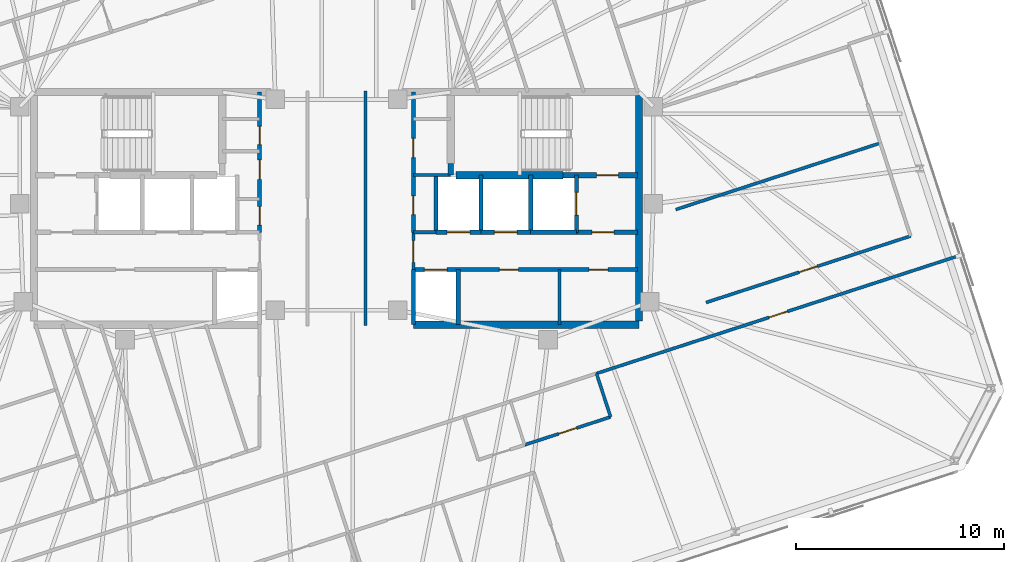
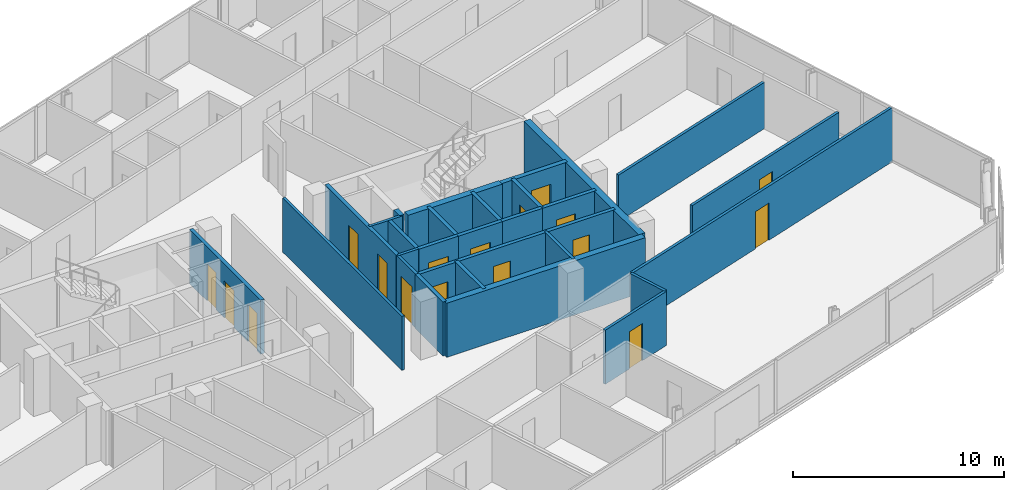
# One storey, part 15 of 20: 28 walls, 17 doors, 17 openings.
"""IFC4 building model written with IfcOpenShell, lengths in metres."""

from ifc_helpers import new_model, si_unit, direction, frame, frame_2d, origin, place, context, subcontext, project, spatial, rectangle, extrude, material, layer, layer_set, type_object, element, fill, save


model = new_model("IFC4")

# Units and contexts
model_context = context("Model", 3, precision=1e-05, world=origin(), true_north=direction((0.0, 1.0)))
body_context = subcontext(model_context, "Body", "Model", "MODEL_VIEW")
ifc_project = project(units=[si_unit("LENGTHUNIT", "METRE"), si_unit("AREAUNIT", "SQUARE_METRE"), si_unit("VOLUMEUNIT", "CUBIC_METRE"), si_unit("PLANEANGLEUNIT", "RADIAN"), si_unit("MASSUNIT", "GRAM", prefix="KILO")], contexts=[model_context])

# Site, building, storey
site_placement = place(None, origin())
site = spatial("IfcSite", under=ifc_project, at=site_placement, CompositionType="ELEMENT")
building_placement = place(site_placement, origin())
building = spatial("IfcBuilding", under=site, at=building_placement, Name="Menara Jurai Vektor", CompositionType="ELEMENT")
storey_placement = place(building_placement, frame((0.0, 0.0, 224.300048828125)))
storey = spatial("IfcBuildingStorey", under=building, at=storey_placement, Name="L59", CompositionType="ELEMENT", Elevation=224.300048828125)

# Wall, opening, door
ifc_material_1 = material(Name="Concrete C40/50", Category="concrete")
ifc_layer_1 = layer(ifc_material_1, 0.25)
ifc_layer_set_1 = layer_set([ifc_layer_1], Name="Concrete C40/50")
wall_type_1 = type_object("IfcWallType", Name="INT-WALL-CORE-250", PredefinedType="STANDARD", material=ifc_layer_set_1)
wall_1_placement = place(storey_placement, frame((10.89990234375, 1.60009765625, 0.0), z_axis=(0.0, 0.0, 1.0), x_axis=(1.0, 0.0, 0.0)))
wall_1 = element("IfcWall", 1, at=wall_1_placement, inside=storey, type_object=wall_type_1, Name="Interior Wall IW-250 L59", PredefinedType="STANDARD", context=body_context, shape_type="SweptSolid", body=[
    extrude(rectangle(XDim=3.60009765625, YDim=0.25, at=frame_2d((1.800048828125, 0.0))), origin(), (0.0, 0.0, 1.0), 3.125),
])
opening_1_placement = place(wall_1_placement, frame((1.6201171875, 0.0, 0.0)))
opening_1 = element("IfcOpeningElement", 2, at=opening_1_placement, cuts=wall_1, Name="Opening D-L59-ST2", PredefinedType="OPENING", context=body_context, shape_type="SweptSolid", body=[
    extrude(rectangle(XDim=1.050048828125, YDim=2.14990234375, at=frame_2d((0.52490234375, 1.074951171875))), frame((0.0, 0.135009765625, 0.0), z_axis=(0.0, -1.0, 0.0), x_axis=(1.0, 0.0, 0.0)), (0.0, 0.0, 1.0), 0.27001953125),
])
ifc_material_2 = material(Name="Fire-Rated Steel Door", Category="steel")
door_type_1 = type_object("IfcDoorType", Name="DR-STAIR-1050", OperationType="NOTDEFINED", PredefinedType="DOOR", material=ifc_material_2)
door_1_placement = place(opening_1_placement, origin())
door_1 = element("IfcDoor", 3, at=door_1_placement, inside=storey, type_object=door_type_1, Name="Exit Stair ST2 Door L59", OperationType="SINGLE_SWING_LEFT", OverallHeight=2.14990234375, OverallWidth=1.050048828125, PredefinedType="DOOR", context=body_context, shape_type="SweptSolid", body=[
    extrude(rectangle(XDim=1.050048828125, YDim=2.14990234375, at=frame_2d((0.52490234375, 1.074951171875))), frame((0.0, 0.02490234375, 0.0), z_axis=(0.0, -1.0, 0.0), x_axis=(1.0, 0.0, 0.0)), (0.0, 0.0, 1.0), 0.050048828125),
])
fill(opening_1, door_1)

# Wall
wall_2_placement = place(storey_placement, frame((5.5, 1.60009765625, 0.0), z_axis=(0.0, 0.0, 1.0), x_axis=(0.0, 1.0, 0.0)))
element("IfcWall", 4, at=wall_2_placement, inside=storey, type_object=wall_type_1, Name="Interior Wall IW-250 L59", PredefinedType="STANDARD", context=body_context, shape_type="SweptSolid", body=[
    extrude(rectangle(XDim=0.5498046875, YDim=0.25, at=frame_2d((0.27490234375, 0.0))), origin(), (0.0, 0.0, 1.0), 3.125),
])

# Wall, opening, door
wall_3_placement = place(storey_placement, frame((11.550048828125, -1.14990234375, 0.0), z_axis=(0.0, 0.0, 1.0), x_axis=(0.0, 1.0, 0.0)))
wall_3 = element("IfcWall", 5, at=wall_3_placement, inside=storey, type_object=wall_type_1, Name="Interior Wall IW-250 L59", PredefinedType="STANDARD", context=body_context, shape_type="SweptSolid", body=[
    extrude(rectangle(XDim=2.75, YDim=0.199951171875, at=frame_2d((1.375, 0.0))), origin(), (0.0, 0.0, 1.0), 3.125),
])
opening_2_placement = place(wall_3_placement, frame((0.824951171875, 0.0, 0.0)))
opening_2 = element("IfcOpeningElement", 6, at=opening_2_placement, cuts=wall_3, Name="Opening LD-L59-FL2", PredefinedType="OPENING", context=body_context, shape_type="SweptSolid", body=[
    extrude(rectangle(XDim=1.10009765625, YDim=2.14990234375, at=frame_2d((0.550048828125, 1.074951171875))), frame((0.0, 0.10986328125, 0.0), z_axis=(0.0, -1.0, 0.0), x_axis=(1.0, 0.0, 0.0)), (0.0, 0.0, 1.0), 0.219970703125),
])
ifc_material_3 = material(Name="Stainless Steel Sliding Lift Landing Door", Category="steel")
door_type_2 = type_object("IfcDoorType", Name="DR-LIFT-FIRE-1100", OperationType="NOTDEFINED", PredefinedType="DOOR", material=ifc_material_3)
door_2_placement = place(opening_2_placement, origin())
door_2 = element("IfcDoor", 7, at=door_2_placement, inside=storey, type_object=door_type_2, Name="Lift Landing Door FL2 L59", OperationType="SLIDING_TO_RIGHT", OverallHeight=2.14990234375, OverallWidth=1.10009765625, PredefinedType="DOOR", context=body_context, shape_type="SweptSolid", body=[
    extrude(rectangle(XDim=1.10009765625, YDim=2.14990234375, at=frame_2d((0.550048828125, 1.074951171875))), frame((0.0, 0.02490234375, 0.0), z_axis=(0.0, -1.0, 0.0), x_axis=(1.0, 0.0, 0.0)), (0.0, 0.0, 1.0), 0.050048828125),
])
fill(opening_2, door_2)

# Wall
wall_4_placement = place(storey_placement, frame((9.35009765625, -1.14990234375, 0.0), z_axis=(0.0, 0.0, 1.0), x_axis=(0.0, 1.0, 0.0)))
element("IfcWall", 8, at=wall_4_placement, inside=storey, type_object=wall_type_1, Name="Interior Wall IW-250 L59", PredefinedType="STANDARD", context=body_context, shape_type="SweptSolid", body=[
    extrude(rectangle(XDim=2.75, YDim=0.199951171875, at=frame_2d((1.375, 0.0))), origin(), (0.0, 0.0, 1.0), 3.125),
])

# Wall, opening, door
wall_5_placement = place(storey_placement, frame((11.550048828125, -1.14990234375, 0.0), z_axis=(0.0, 0.0, 1.0), x_axis=(1.0, 0.0, 0.0)))
wall_5 = element("IfcWall", 9, at=wall_5_placement, inside=storey, type_object=wall_type_1, Name="Interior Wall IW-250 L59", PredefinedType="STANDARD", context=body_context, shape_type="SweptSolid", body=[
    extrude(rectangle(XDim=2.949951171875, YDim=0.199951171875, at=frame_2d((1.47509765625, 0.0))), origin(), (0.0, 0.0, 1.0), 3.125),
])
opening_3_placement = place(wall_5_placement, frame((0.75, 0.0, 0.0)))
opening_3 = element("IfcOpeningElement", 10, at=opening_3_placement, cuts=wall_5, Name="Opening D-L59-FFE", PredefinedType="OPENING", context=body_context, shape_type="SweptSolid", body=[
    extrude(rectangle(XDim=1.050048828125, YDim=2.179931640625, at=frame_2d((0.52490234375, 1.08984375))), frame((0.0, 0.10986328125, 0.0), z_axis=(0.0, -1.0, 0.0), x_axis=(1.0, 0.0, 0.0)), (0.0, 0.0, 1.0), 0.219970703125),
])
ifc_material_4 = material(Name="Fire-Rated Timber Door", Category="wood")
door_type_3 = type_object("IfcDoorType", Name="DR-LOBBY-1050", OperationType="NOTDEFINED", PredefinedType="DOOR", material=ifc_material_4)
door_3_placement = place(opening_3_placement, origin())
door_3 = element("IfcDoor", 11, at=door_3_placement, inside=storey, type_object=door_type_3, Name="Fire Lift Lobby Door E L59", OperationType="SINGLE_SWING_LEFT", OverallHeight=2.179931640625, OverallWidth=1.050048828125, PredefinedType="DOOR", context=body_context, shape_type="SweptSolid", body=[
    extrude(rectangle(XDim=1.050048828125, YDim=2.179931640625, at=frame_2d((0.52490234375, 1.08984375))), frame((0.0, 0.02490234375, 0.0), z_axis=(0.0, -1.0, 0.0), x_axis=(1.0, 0.0, 0.0)), (0.0, 0.0, 1.0), 0.050048828125),
])
fill(opening_3, door_3)

# Wall
wall_6_placement = place(storey_placement, frame((9.35009765625, -1.14990234375, 0.0), z_axis=(0.0, 0.0, 1.0), x_axis=(1.0, 0.0, 0.0)))
element("IfcWall", 12, at=wall_6_placement, inside=storey, type_object=wall_type_1, Name="Interior Wall IW-250 L59", PredefinedType="STANDARD", context=body_context, shape_type="SweptSolid", body=[
    extrude(rectangle(XDim=2.199951171875, YDim=0.199951171875, at=frame_2d((1.10009765625, 0.0))), origin(), (0.0, 0.0, 1.0), 3.125),
])

# Wall, opening, door
ifc_material_5 = material(Name="Gypsum Fireboard Partition", Category="gypsum")
ifc_layer_2 = layer(ifc_material_5, 0.14990234375)
ifc_layer_set_2 = layer_set([ifc_layer_2], Name="Gypsum Fireboard Partition")
wall_type_2 = type_object("IfcWallType", Name="INT-WALL-CORR-150", PredefinedType="PARTITIONING", material=ifc_layer_set_2)
wall_7_placement = place(storey_placement, frame((3.699951171875, -2.949951171875, 0.0), z_axis=(0.0, 0.0, 1.0), x_axis=(0.0, 1.0, 0.0)))
wall_7 = element("IfcWall", 13, at=wall_7_placement, inside=storey, type_object=wall_type_2, Name="Interior Wall IW-150 L59", PredefinedType="PARTITIONING", context=body_context, shape_type="SweptSolid", body=[
    extrude(rectangle(XDim=1.800048828125, YDim=0.14990234375, at=frame_2d((0.89990234375, 0.0))), origin(), (0.0, 0.0, 1.0), 3.125),
])
opening_4_placement = place(wall_7_placement, frame((0.35009765625, 0.0, 0.0)))
opening_4 = element("IfcOpeningElement", 14, at=opening_4_placement, cuts=wall_7, Name="Opening D-L59-LLE", PredefinedType="OPENING", context=body_context, shape_type="SweptSolid", body=[
    extrude(rectangle(XDim=1.050048828125, YDim=2.179931640625, at=frame_2d((0.52490234375, 1.08984375))), frame((0.0, 0.0849609375, 0.0), z_axis=(0.0, -1.0, 0.0), x_axis=(1.0, 0.0, 0.0)), (0.0, 0.0, 1.0), 0.169921875),
])
door_4_placement = place(opening_4_placement, frame((1.050048828125, 0.0, 0.0), z_axis=(0.0, 0.0, 1.0), x_axis=(-1.0, 0.0, 0.0)))
door_4 = element("IfcDoor", 15, at=door_4_placement, inside=storey, type_object=door_type_3, Name="Lift Lobby Corridor Door E L59", OperationType="SINGLE_SWING_RIGHT", OverallHeight=2.179931640625, OverallWidth=1.050048828125, PredefinedType="DOOR", context=body_context, shape_type="SweptSolid", body=[
    extrude(rectangle(XDim=1.050048828125, YDim=2.179931640625, at=frame_2d((0.52490234375, 1.08984375))), frame((0.0, 0.02490234375, 0.0), z_axis=(0.0, -1.0, 0.0), x_axis=(1.0, 0.0, 0.0)), (0.0, 0.0, 1.0), 0.050048828125),
])
fill(opening_4, door_4)

# Walls
wall_8_placement = place(storey_placement, frame((3.699951171875, -1.14990234375, 0.0), z_axis=(0.0, 0.0, 1.0), x_axis=(1.0, 0.0, 0.0)))
element("IfcWall", 16, at=wall_8_placement, inside=storey, type_object=wall_type_2, Name="Interior Wall IW-150 L59", PredefinedType="PARTITIONING", context=body_context, shape_type="SweptSolid", body=[
    extrude(rectangle(XDim=1.090087890625, YDim=0.14990234375, at=frame_2d((0.544921875, 0.0))), origin(), (0.0, 0.0, 1.0), 3.125),
])
wall_9_placement = place(storey_placement, frame((10.739990234375, -5.60009765625, 0.0), z_axis=(0.0, 0.0, 1.0), x_axis=(0.0, 1.0, 0.0)))
element("IfcWall", 17, at=wall_9_placement, inside=storey, type_object=wall_type_2, Name="Interior Wall IW-150 L59", PredefinedType="PARTITIONING", context=body_context, shape_type="SweptSolid", body=[
    extrude(rectangle(XDim=2.650146484375, YDim=0.14990234375, at=frame_2d((1.3251953125, 0.0))), origin(), (0.0, 0.0, 1.0), 3.125),
])
wall_10_placement = place(storey_placement, frame((3.699951171875, 1.60009765625, 0.0), z_axis=(0.0, 0.0, 1.0), x_axis=(1.0, 0.0, 0.0)))
element("IfcWall", 18, at=wall_10_placement, inside=storey, type_object=wall_type_2, Name="Interior Wall IW-150 L59", PredefinedType="PARTITIONING", context=body_context, shape_type="SweptSolid", body=[
    extrude(rectangle(XDim=1.800048828125, YDim=0.14990234375, at=frame_2d((0.89990234375, 0.0))), origin(), (0.0, 0.0, 1.0), 3.125),
])
wall_11_placement = place(storey_placement, frame((1.39111328125, -5.6484375, 0.0), z_axis=(0.0, 0.0, 1.0), x_axis=(-4.3218947e-05, 0.999999999066, 0.0)))
element("IfcWall", 19, at=wall_11_placement, inside=storey, type_object=wall_type_2, Name="Interior Wall IW-150 L59", PredefinedType="PARTITIONING", context=body_context, shape_type="SweptSolid", body=[
    extrude(rectangle(XDim=11.2978515625, YDim=0.14990234375, at=frame_2d((5.64892578125, 0.0))), origin(), (0.0, 0.0, 1.0), 3.125),
])

# Wall, opening, door
wall_12_placement = place(storey_placement, frame((12.51708984375, -7.947998046875, 0.0), z_axis=(0.0, 0.0, 1.0), x_axis=(0.951053764264, 0.309025464128, 0.0)))
wall_12 = element("IfcWall", 20, at=wall_12_placement, inside=storey, type_object=wall_type_2, Name="Interior Wall IW-150 L59", PredefinedType="PARTITIONING", context=body_context, shape_type="SweptSolid", body=[
    extrude(rectangle(XDim=18.399169921875, YDim=0.14990234375, at=frame_2d((9.19970703125, 0.0))), origin(), (0.0, 0.0, 1.0), 3.125),
])
opening_5_placement = place(wall_12_placement, frame((8.724609375, 0.0, 0.0)))
opening_5 = element("IfcOpeningElement", 21, at=opening_5_placement, cuts=wall_12, Name="Opening D59-35", PredefinedType="OPENING", context=body_context, shape_type="SweptSolid", body=[
    extrude(rectangle(XDim=0.949951171875, YDim=2.14990234375, at=frame_2d((0.47509765625, 1.074951171875))), frame((0.0, 0.0849609375, 0.0), z_axis=(0.0, -1.0, 0.0), x_axis=(1.0, 0.0, 0.0)), (0.0, 0.0, 1.0), 0.169921875),
])
ifc_material_6 = material(Name="Solid Core Timber Fire Door", Category="wood")
door_type_4 = type_object("IfcDoorType", Name="DR-ENTRY-950", OperationType="NOTDEFINED", PredefinedType="DOOR", material=ifc_material_6)
door_5_placement = place(opening_5_placement, origin())
door_5 = element("IfcDoor", 22, at=door_5_placement, inside=storey, type_object=door_type_4, Name="Interior Door D59-35", OperationType="SINGLE_SWING_LEFT", OverallHeight=2.14990234375, OverallWidth=0.949951171875, PredefinedType="DOOR", context=body_context, shape_type="SweptSolid", body=[
    extrude(rectangle(XDim=0.949951171875, YDim=2.14990234375, at=frame_2d((0.47509765625, 1.074951171875))), frame((0.0, 0.02490234375, 0.0), z_axis=(0.0, -1.0, 0.0), x_axis=(1.0, 0.0, 0.0)), (0.0, 0.0, 1.0), 0.050048828125),
])
fill(opening_5, door_5)

wall_13_placement = place(storey_placement, frame((17.791259765625, -4.53076171875, 0.0), z_axis=(0.0, 0.0, 1.0), x_axis=(0.951056769902, 0.309016213852, 0.0)))
wall_13 = element("IfcWall", 23, at=wall_13_placement, inside=storey, type_object=wall_type_2, Name="Interior Wall IW-150 L59", PredefinedType="PARTITIONING", context=body_context, shape_type="SweptSolid", body=[
    extrude(rectangle(XDim=10.35205078125, YDim=0.14990234375, at=frame_2d((5.176025390625, 0.0))), origin(), (0.0, 0.0, 1.0), 3.125),
])
opening_6_placement = place(wall_13_placement, frame((4.716064453125, 0.0, 0.0)))
opening_6 = element("IfcOpeningElement", 24, at=opening_6_placement, cuts=wall_13, Name="Opening D59-54", PredefinedType="OPENING", context=body_context, shape_type="SweptSolid", body=[
    extrude(rectangle(XDim=0.919921875, YDim=2.14990234375, at=frame_2d((0.4599609375, 1.074951171875))), frame((0.0, 0.0849609375, 0.0), z_axis=(0.0, -1.0, 0.0), x_axis=(1.0, 0.0, 0.0)), (0.0, 0.0, 1.0), 0.169921875),
])
door_6_placement = place(opening_6_placement, origin())
door_6 = element("IfcDoor", 25, at=door_6_placement, inside=storey, type_object=door_type_4, Name="Interior Door D59-54", OperationType="SINGLE_SWING_RIGHT", OverallHeight=2.14990234375, OverallWidth=0.919921875, PredefinedType="DOOR", context=body_context, shape_type="SweptSolid", body=[
    extrude(rectangle(XDim=0.919921875, YDim=2.14990234375, at=frame_2d((0.4599609375, 1.074951171875))), frame((0.0, 0.02490234375, 0.0), z_axis=(0.0, -1.0, 0.0), x_axis=(1.0, 0.0, 0.0)), (0.0, 0.0, 1.0), 0.050048828125),
])
fill(opening_6, door_6)

wall_14_placement = place(storey_placement, frame((9.059814453125, -11.384521484375, 0.0), z_axis=(0.0, 0.0, 1.0), x_axis=(0.951057987102, 0.309012467661, 0.0)))
wall_14 = element("IfcWall", 26, at=wall_14_placement, inside=storey, type_object=wall_type_2, Name="Interior Wall IW-150 L59", PredefinedType="PARTITIONING", context=body_context, shape_type="SweptSolid", body=[
    extrude(rectangle(XDim=4.35009765625, YDim=0.14990234375, at=frame_2d((2.175048828125, 0.0))), origin(), (0.0, 0.0, 1.0), 3.125),
])
opening_7_placement = place(wall_14_placement, frame((1.72509765625, 0.0, 0.0)))
opening_7 = element("IfcOpeningElement", 27, at=opening_7_placement, cuts=wall_14, Name="Opening D59-37", PredefinedType="OPENING", context=body_context, shape_type="SweptSolid", body=[
    extrude(rectangle(XDim=0.89990234375, YDim=2.14990234375, at=frame_2d((0.449951171875, 1.074951171875))), frame((0.0, 0.0849609375, 0.0), z_axis=(0.0, -1.0, 0.0), x_axis=(1.0, 0.0, 0.0)), (0.0, 0.0, 1.0), 0.169921875),
])
ifc_material_7 = material(Name="Acoustic Timber Interior Door", Category="wood")
door_type_5 = type_object("IfcDoorType", Name="DR-ROOM-900", OperationType="NOTDEFINED", PredefinedType="DOOR", material=ifc_material_7)
door_7_placement = place(opening_7_placement, origin())
door_7 = element("IfcDoor", 28, at=door_7_placement, inside=storey, type_object=door_type_5, Name="Interior Door D59-37", OperationType="SINGLE_SWING_LEFT", OverallHeight=2.14990234375, OverallWidth=0.89990234375, PredefinedType="DOOR", context=body_context, shape_type="SweptSolid", body=[
    extrude(rectangle(XDim=0.89990234375, YDim=2.14990234375, at=frame_2d((0.449951171875, 1.074951171875))), frame((0.0, 0.02490234375, 0.0), z_axis=(0.0, -1.0, 0.0), x_axis=(1.0, 0.0, 0.0)), (0.0, 0.0, 1.0), 0.050048828125),
])
fill(opening_7, door_7)

# Walls
wall_15_placement = place(storey_placement, frame((13.197021484375, -10.040283203125, 0.0), z_axis=(0.0, 0.0, 1.0), x_axis=(-0.309060979314, 0.951042223598, 0.0)))
element("IfcWall", 29, at=wall_15_placement, inside=storey, type_object=wall_type_2, Name="Interior Wall IW-150 L59", PredefinedType="PARTITIONING", context=body_context, shape_type="SweptSolid", body=[
    extrude(rectangle(XDim=2.199951171875, YDim=0.14990234375, at=frame_2d((1.10009765625, 0.0))), origin(), (0.0, 0.0, 1.0), 3.125),
])
ifc_layer_3 = layer(ifc_material_5, 0.14990234375)
ifc_layer_set_3 = layer_set([ifc_layer_3], Name="Gypsum Fireboard Partition")
wall_type_3 = type_object("IfcWallType", Name="INT-WALL-CORR-150-H1", PredefinedType="PARTITIONING", material=ifc_layer_set_3)
wall_16_placement = place(storey_placement, frame((16.336669921875, -0.05419921875, 0.0), z_axis=(0.0, 0.0, 1.0), x_axis=(0.951056769902, 0.309016213852, 0.0)))
element("IfcWall", 30, at=wall_16_placement, inside=storey, type_object=wall_type_3, Name="Interior Wall IW-150 L59", PredefinedType="PARTITIONING", context=body_context, shape_type="SweptSolid", body=[
    extrude(rectangle(XDim=10.35205078125, YDim=0.14990234375, at=frame_2d((5.176025390625, 0.0))), origin(), (0.0, 0.0, 1.0), 2.675048828125),
])

# Wall, openings, doors
ifc_layer_4 = layer(ifc_material_1, 0.199951171875)
ifc_layer_set_4 = layer_set([ifc_layer_4], Name="Concrete C40/50")
wall_type_4 = type_object("IfcWallType", Name="INT-WALL-SHAFT-200", PredefinedType="STANDARD", material=ifc_layer_set_4)
wall_17_placement = place(storey_placement, frame((-3.699951171875, -1.14990234375, 0.0), z_axis=(0.0, 0.0, 1.0), x_axis=(0.0, 1.0, 0.0)))
wall_17 = element("IfcWall", 31, at=wall_17_placement, inside=storey, type_object=wall_type_4, Name="Interior Wall IW-200 L59", PredefinedType="STANDARD", context=body_context, shape_type="SweptSolid", body=[
    extrude(rectangle(XDim=6.75, YDim=0.199951171875, at=frame_2d((3.375, 0.0))), origin(), (0.0, 0.0, 1.0), 3.125),
])
opening_8_placement = place(wall_17_placement, frame((0.35009765625, 0.0, 0.0)))
opening_8 = element("IfcOpeningElement", 32, at=opening_8_placement, cuts=wall_17, Name="Opening D59-02", PredefinedType="OPENING", context=body_context, shape_type="SweptSolid", body=[
    extrude(rectangle(XDim=0.8798828125, YDim=2.14990234375, at=frame_2d((0.43994140625, 1.074951171875))), frame((0.0, 0.10986328125, 0.0), z_axis=(0.0, -1.0, 0.0), x_axis=(1.0, 0.0, 0.0)), (0.0, 0.0, 1.0), 0.219970703125),
])
opening_9_placement = place(wall_17_placement, frame((2.550048828125, 0.0, 0.0)))
opening_9 = element("IfcOpeningElement", 33, at=opening_9_placement, cuts=wall_17, Name="Opening D59-03", PredefinedType="OPENING", context=body_context, shape_type="SweptSolid", body=[
    extrude(rectangle(XDim=0.919921875, YDim=2.14990234375, at=frame_2d((0.4599609375, 1.074951171875))), frame((0.0, 0.10986328125, 0.0), z_axis=(0.0, -1.0, 0.0), x_axis=(1.0, 0.0, 0.0)), (0.0, 0.0, 1.0), 0.219970703125),
])
opening_10_placement = place(wall_17_placement, frame((4.219970703125, 0.0, 0.0)))
opening_10 = element("IfcOpeningElement", 34, at=opening_10_placement, cuts=wall_17, Name="Opening D59-04", PredefinedType="OPENING", context=body_context, shape_type="SweptSolid", body=[
    extrude(rectangle(XDim=0.8798828125, YDim=2.14990234375, at=frame_2d((0.43994140625, 1.074951171875))), frame((0.0, 0.10986328125, 0.0), z_axis=(0.0, -1.0, 0.0), x_axis=(1.0, 0.0, 0.0)), (0.0, 0.0, 1.0), 0.219970703125),
])
door_8_placement = place(opening_8_placement, origin())
door_8 = element("IfcDoor", 35, at=door_8_placement, inside=storey, type_object=door_type_4, Name="Interior Door D59-02", OperationType="SINGLE_SWING_LEFT", OverallHeight=2.14990234375, OverallWidth=0.8798828125, PredefinedType="DOOR", context=body_context, shape_type="SweptSolid", body=[
    extrude(rectangle(XDim=0.8798828125, YDim=2.14990234375, at=frame_2d((0.43994140625, 1.074951171875))), frame((0.0, 0.02490234375, 0.0), z_axis=(0.0, -1.0, 0.0), x_axis=(1.0, 0.0, 0.0)), (0.0, 0.0, 1.0), 0.050048828125),
])
fill(opening_8, door_8)
door_9_placement = place(opening_9_placement, origin())
door_9 = element("IfcDoor", 36, at=door_9_placement, inside=storey, type_object=door_type_4, Name="Interior Door D59-03", OperationType="SINGLE_SWING_LEFT", OverallHeight=2.14990234375, OverallWidth=0.919921875, PredefinedType="DOOR", context=body_context, shape_type="SweptSolid", body=[
    extrude(rectangle(XDim=0.919921875, YDim=2.14990234375, at=frame_2d((0.4599609375, 1.074951171875))), frame((0.0, 0.02490234375, 0.0), z_axis=(0.0, -1.0, 0.0), x_axis=(1.0, 0.0, 0.0)), (0.0, 0.0, 1.0), 0.050048828125),
])
fill(opening_9, door_9)
door_10_placement = place(opening_10_placement, origin())
door_10 = element("IfcDoor", 37, at=door_10_placement, inside=storey, type_object=door_type_4, Name="Interior Door D59-04", OperationType="SINGLE_SWING_LEFT", OverallHeight=2.14990234375, OverallWidth=0.8798828125, PredefinedType="DOOR", context=body_context, shape_type="SweptSolid", body=[
    extrude(rectangle(XDim=0.8798828125, YDim=2.14990234375, at=frame_2d((0.43994140625, 1.074951171875))), frame((0.0, 0.02490234375, 0.0), z_axis=(0.0, -1.0, 0.0), x_axis=(1.0, 0.0, 0.0)), (0.0, 0.0, 1.0), 0.050048828125),
])
fill(opening_10, door_10)

wall_18_placement = place(storey_placement, frame((3.699951171875, -1.14990234375, 0.0), z_axis=(0.0, 0.0, 1.0), x_axis=(0.0, 1.0, 0.0)))
wall_18 = element("IfcWall", 38, at=wall_18_placement, inside=storey, type_object=wall_type_4, Name="Interior Wall IW-200 L59", PredefinedType="STANDARD", context=body_context, shape_type="SweptSolid", body=[
    extrude(rectangle(XDim=6.75, YDim=0.199951171875, at=frame_2d((3.375, 0.0))), origin(), (0.0, 0.0, 1.0), 3.125),
])
opening_11_placement = place(wall_18_placement, frame((3.60009765625, 0.0, 0.0)))
opening_11 = element("IfcOpeningElement", 39, at=opening_11_placement, cuts=wall_18, Name="Opening D59-07", PredefinedType="OPENING", context=body_context, shape_type="SweptSolid", body=[
    extrude(rectangle(XDim=0.919921875, YDim=2.14990234375, at=frame_2d((0.4599609375, 1.074951171875))), frame((0.0, 0.10986328125, 0.0), z_axis=(0.0, -1.0, 0.0), x_axis=(1.0, 0.0, 0.0)), (0.0, 0.0, 1.0), 0.219970703125),
])
opening_12_placement = place(wall_18_placement, frame((0.85009765625, 0.0, 0.0)))
opening_12 = element("IfcOpeningElement", 40, at=opening_12_placement, cuts=wall_18, Name="Opening D59-08", PredefinedType="OPENING", context=body_context, shape_type="SweptSolid", body=[
    extrude(rectangle(XDim=0.89990234375, YDim=2.14990234375, at=frame_2d((0.449951171875, 1.074951171875))), frame((0.0, 0.10986328125, 0.0), z_axis=(0.0, -1.0, 0.0), x_axis=(1.0, 0.0, 0.0)), (0.0, 0.0, 1.0), 0.219970703125),
])
door_11_placement = place(opening_11_placement, origin())
door_11 = element("IfcDoor", 41, at=door_11_placement, inside=storey, type_object=door_type_4, Name="Interior Door D59-07", OperationType="SINGLE_SWING_RIGHT", OverallHeight=2.14990234375, OverallWidth=0.919921875, PredefinedType="DOOR", context=body_context, shape_type="SweptSolid", body=[
    extrude(rectangle(XDim=0.919921875, YDim=2.14990234375, at=frame_2d((0.4599609375, 1.074951171875))), frame((0.0, 0.02490234375, 0.0), z_axis=(0.0, -1.0, 0.0), x_axis=(1.0, 0.0, 0.0)), (0.0, 0.0, 1.0), 0.050048828125),
])
fill(opening_11, door_11)
door_12_placement = place(opening_12_placement, origin())
door_12 = element("IfcDoor", 42, at=door_12_placement, inside=storey, type_object=door_type_4, Name="Interior Door D59-08", OperationType="SINGLE_SWING_RIGHT", OverallHeight=2.14990234375, OverallWidth=0.89990234375, PredefinedType="DOOR", context=body_context, shape_type="SweptSolid", body=[
    extrude(rectangle(XDim=0.89990234375, YDim=2.14990234375, at=frame_2d((0.449951171875, 1.074951171875))), frame((0.0, 0.02490234375, 0.0), z_axis=(0.0, -1.0, 0.0), x_axis=(1.0, 0.0, 0.0)), (0.0, 0.0, 1.0), 0.050048828125),
])
fill(opening_12, door_12)

# Walls
wall_19_placement = place(storey_placement, frame((3.699951171875, -5.60009765625, 0.0), z_axis=(0.0, 0.0, 1.0), x_axis=(0.0, 1.0, 0.0)))
element("IfcWall", 43, at=wall_19_placement, inside=storey, type_object=wall_type_4, Name="Interior Wall IW-200 L59", PredefinedType="STANDARD", context=body_context, shape_type="SweptSolid", body=[
    extrude(rectangle(XDim=2.650146484375, YDim=0.199951171875, at=frame_2d((1.3251953125, 0.0))), origin(), (0.0, 0.0, 1.0), 3.125),
])
wall_20_placement = place(storey_placement, frame((6.949951171875, -1.14990234375, 0.0), z_axis=(0.0, 0.0, 1.0), x_axis=(0.0, 1.0, 0.0)))
element("IfcWall", 44, at=wall_20_placement, inside=storey, type_object=wall_type_4, Name="Interior Wall IW-200 L59", PredefinedType="STANDARD", context=body_context, shape_type="SweptSolid", body=[
    extrude(rectangle(XDim=2.75, YDim=0.199951171875, at=frame_2d((1.375, 0.0))), origin(), (0.0, 0.0, 1.0), 3.125),
])

# Wall, opening, door
wall_21_placement = place(storey_placement, frame((6.949951171875, -1.14990234375, 0.0), z_axis=(0.0, 0.0, 1.0), x_axis=(1.0, 0.0, 0.0)))
wall_21 = element("IfcWall", 45, at=wall_21_placement, inside=storey, type_object=wall_type_4, Name="Interior Wall IW-200 L59", PredefinedType="STANDARD", context=body_context, shape_type="SweptSolid", body=[
    extrude(rectangle(XDim=2.400146484375, YDim=0.199951171875, at=frame_2d((1.2001953125, 0.0))), origin(), (0.0, 0.0, 1.0), 3.125),
])
opening_13_placement = place(wall_21_placement, frame((0.64990234375, 0.0, 0.0)))
opening_13 = element("IfcOpeningElement", 46, at=opening_13_placement, cuts=wall_21, Name="Opening LD-L59-SVL2", PredefinedType="OPENING", context=body_context, shape_type="SweptSolid", body=[
    extrude(rectangle(XDim=1.10009765625, YDim=2.14990234375, at=frame_2d((0.550048828125, 1.074951171875))), frame((0.0, 0.10986328125, 0.0), z_axis=(0.0, -1.0, 0.0), x_axis=(1.0, 0.0, 0.0)), (0.0, 0.0, 1.0), 0.219970703125),
])
ifc_material_8 = material(Name="Anodised Stainless Sliding Lift Landing Door", Category="steel")
door_type_6 = type_object("IfcDoorType", Name="DR-LIFT-PASS-1100", OperationType="NOTDEFINED", PredefinedType="DOOR", material=ifc_material_8)
door_13_placement = place(opening_13_placement, origin())
door_13 = element("IfcDoor", 47, at=door_13_placement, inside=storey, type_object=door_type_6, Name="Lift Landing Door SVL2 L59", OperationType="SLIDING_TO_RIGHT", OverallHeight=2.14990234375, OverallWidth=1.10009765625, PredefinedType="DOOR", context=body_context, shape_type="SweptSolid", body=[
    extrude(rectangle(XDim=1.10009765625, YDim=2.14990234375, at=frame_2d((0.550048828125, 1.074951171875))), frame((0.0, 0.02490234375, 0.0), z_axis=(0.0, -1.0, 0.0), x_axis=(1.0, 0.0, 0.0)), (0.0, 0.0, 1.0), 0.050048828125),
])
fill(opening_13, door_13)

# Wall
wall_22_placement = place(storey_placement, frame((4.7900390625, -1.14990234375, 0.0), z_axis=(0.0, 0.0, 1.0), x_axis=(0.0, 1.0, 0.0)))
element("IfcWall", 48, at=wall_22_placement, inside=storey, type_object=wall_type_4, Name="Interior Wall IW-200 L59", PredefinedType="STANDARD", context=body_context, shape_type="SweptSolid", body=[
    extrude(rectangle(XDim=2.75, YDim=0.199951171875, at=frame_2d((1.375, 0.0))), origin(), (0.0, 0.0, 1.0), 3.125),
])

# Wall, opening, door
wall_23_placement = place(storey_placement, frame((4.7900390625, -1.14990234375, 0.0), z_axis=(0.0, 0.0, 1.0), x_axis=(1.0, 0.0, 0.0)))
wall_23 = element("IfcWall", 49, at=wall_23_placement, inside=storey, type_object=wall_type_4, Name="Interior Wall IW-200 L59", PredefinedType="STANDARD", context=body_context, shape_type="SweptSolid", body=[
    extrude(rectangle(XDim=2.159912109375, YDim=0.199951171875, at=frame_2d((1.080078125, 0.0))), origin(), (0.0, 0.0, 1.0), 3.125),
])
opening_14_placement = place(wall_23_placement, frame((0.530029296875, 0.0, 0.0)))
opening_14 = element("IfcOpeningElement", 50, at=opening_14_placement, cuts=wall_23, Name="Opening LD-L59-PH4", PredefinedType="OPENING", context=body_context, shape_type="SweptSolid", body=[
    extrude(rectangle(XDim=1.10009765625, YDim=2.14990234375, at=frame_2d((0.550048828125, 1.074951171875))), frame((0.0, 0.10986328125, 0.0), z_axis=(0.0, -1.0, 0.0), x_axis=(1.0, 0.0, 0.0)), (0.0, 0.0, 1.0), 0.219970703125),
])
door_14_placement = place(opening_14_placement, origin())
door_14 = element("IfcDoor", 51, at=door_14_placement, inside=storey, type_object=door_type_6, Name="Lift Landing Door PH4 L59", OperationType="SLIDING_TO_LEFT", OverallHeight=2.14990234375, OverallWidth=1.10009765625, PredefinedType="DOOR", context=body_context, shape_type="SweptSolid", body=[
    extrude(rectangle(XDim=1.10009765625, YDim=2.14990234375, at=frame_2d((0.550048828125, 1.074951171875))), frame((0.0, 0.02490234375, 0.0), z_axis=(0.0, -1.0, 0.0), x_axis=(1.0, 0.0, 0.0)), (0.0, 0.0, 1.0), 0.050048828125),
])
fill(opening_14, door_14)

# Wall, openings, doors
wall_24_placement = place(storey_placement, frame((3.699951171875, -2.949951171875, 0.0), z_axis=(0.0, 0.0, 1.0), x_axis=(1.0, 0.0, 0.0)))
wall_24 = element("IfcWall", 52, at=wall_24_placement, inside=storey, type_object=wall_type_4, Name="Interior Wall IW-200 L59", PredefinedType="STANDARD", context=body_context, shape_type="SweptSolid", body=[
    extrude(rectangle(XDim=10.800048828125, YDim=0.199951171875, at=frame_2d((5.39990234375, 0.0))), origin(), (0.0, 0.0, 1.0), 3.125),
])
opening_15_placement = place(wall_24_placement, frame((0.530029296875, 0.0, 0.0)))
opening_15 = element("IfcOpeningElement", 53, at=opening_15_placement, cuts=wall_24, Name="Opening LD-L59-PH3", PredefinedType="OPENING", context=body_context, shape_type="SweptSolid", body=[
    extrude(rectangle(XDim=1.10009765625, YDim=2.14990234375, at=frame_2d((0.550048828125, 1.074951171875))), frame((0.0, 0.10986328125, 0.0), z_axis=(0.0, -1.0, 0.0), x_axis=(1.0, 0.0, 0.0)), (0.0, 0.0, 1.0), 0.219970703125),
])
opening_16_placement = place(wall_24_placement, frame((4.139892578125, 0.0, 0.0)))
opening_16 = element("IfcOpeningElement", 54, at=opening_16_placement, cuts=wall_24, Name="Opening D59-05", PredefinedType="OPENING", context=body_context, shape_type="SweptSolid", body=[
    extrude(rectangle(XDim=0.919921875, YDim=2.14990234375, at=frame_2d((0.4599609375, 1.074951171875))), frame((0.0, 0.10986328125, 0.0), z_axis=(0.0, -1.0, 0.0), x_axis=(1.0, 0.0, 0.0)), (0.0, 0.0, 1.0), 0.219970703125),
])
opening_17_placement = place(wall_24_placement, frame((8.4599609375, 0.0, 0.0)))
opening_17 = element("IfcOpeningElement", 55, at=opening_17_placement, cuts=wall_24, Name="Opening D59-06", PredefinedType="OPENING", context=body_context, shape_type="SweptSolid", body=[
    extrude(rectangle(XDim=0.919921875, YDim=2.14990234375, at=frame_2d((0.4599609375, 1.074951171875))), frame((0.0, 0.10986328125, 0.0), z_axis=(0.0, -1.0, 0.0), x_axis=(1.0, 0.0, 0.0)), (0.0, 0.0, 1.0), 0.219970703125),
])
door_15_placement = place(opening_16_placement, origin())
door_15 = element("IfcDoor", 56, at=door_15_placement, inside=storey, type_object=door_type_4, Name="Interior Door D59-05", OperationType="SINGLE_SWING_LEFT", OverallHeight=2.14990234375, OverallWidth=0.919921875, PredefinedType="DOOR", context=body_context, shape_type="SweptSolid", body=[
    extrude(rectangle(XDim=0.919921875, YDim=2.14990234375, at=frame_2d((0.4599609375, 1.074951171875))), frame((0.0, 0.02490234375, 0.0), z_axis=(0.0, -1.0, 0.0), x_axis=(1.0, 0.0, 0.0)), (0.0, 0.0, 1.0), 0.050048828125),
])
fill(opening_16, door_15)
door_16_placement = place(opening_17_placement, origin())
door_16 = element("IfcDoor", 57, at=door_16_placement, inside=storey, type_object=door_type_4, Name="Interior Door D59-06", OperationType="SINGLE_SWING_RIGHT", OverallHeight=2.14990234375, OverallWidth=0.919921875, PredefinedType="DOOR", context=body_context, shape_type="SweptSolid", body=[
    extrude(rectangle(XDim=0.919921875, YDim=2.14990234375, at=frame_2d((0.4599609375, 1.074951171875))), frame((0.0, 0.02490234375, 0.0), z_axis=(0.0, -1.0, 0.0), x_axis=(1.0, 0.0, 0.0)), (0.0, 0.0, 1.0), 0.050048828125),
])
fill(opening_17, door_16)
door_17_placement = place(opening_15_placement, origin())
door_17 = element("IfcDoor", 58, at=door_17_placement, inside=storey, type_object=door_type_6, Name="Lift Landing Door PH3 L59", OperationType="SLIDING_TO_RIGHT", OverallHeight=2.14990234375, OverallWidth=1.10009765625, PredefinedType="DOOR", context=body_context, shape_type="SweptSolid", body=[
    extrude(rectangle(XDim=1.10009765625, YDim=2.14990234375, at=frame_2d((0.550048828125, 1.074951171875))), frame((0.0, 0.02490234375, 0.0), z_axis=(0.0, -1.0, 0.0), x_axis=(1.0, 0.0, 0.0)), (0.0, 0.0, 1.0), 0.050048828125),
])
fill(opening_15, door_17)

# Walls
wall_25_placement = place(storey_placement, frame((5.860107421875, -5.60009765625, 0.0), z_axis=(0.0, 0.0, 1.0), x_axis=(0.0, 1.0, 0.0)))
element("IfcWall", 59, at=wall_25_placement, inside=storey, type_object=wall_type_4, Name="Interior Wall IW-200 L59", PredefinedType="STANDARD", context=body_context, shape_type="SweptSolid", body=[
    extrude(rectangle(XDim=2.650146484375, YDim=0.199951171875, at=frame_2d((1.3251953125, 0.0))), origin(), (0.0, 0.0, 1.0), 3.125),
])
ifc_material_9 = material(Name="Concrete C50/60", Category="concrete")
ifc_layer_5 = layer(ifc_material_9, 0.35009765625)
ifc_layer_set_5 = layer_set([ifc_layer_5], Name="Concrete C50/60")
wall_type_5 = type_object("IfcWallType", Name="STR-WALL-CORE350", PredefinedType="SHEAR", material=ifc_layer_set_5)
wall_26_placement = place(storey_placement, frame((3.699951171875, -5.60009765625, 0.0), z_axis=(0.0, 0.0, 1.0), x_axis=(1.0, 0.0, 0.0)))
element("IfcWall", 60, at=wall_26_placement, inside=storey, type_object=wall_type_5, Name="Core Shear Wall CW-E-S L59", PredefinedType="SHEAR", context=body_context, shape_type="SweptSolid", body=[
    extrude(rectangle(XDim=10.860107421875, YDim=0.35009765625, at=frame_2d((5.43017578125, 0.0))), origin(), (0.0, 0.0, 1.0), 3.125),
])
wall_27_placement = place(storey_placement, frame((14.56005859375, -5.425048828125, 0.0), z_axis=(0.0, 0.0, 1.0), x_axis=(0.0, 1.0, 0.0)))
element("IfcWall", 61, at=wall_27_placement, inside=storey, type_object=wall_type_5, Name="Core Shear Wall CW-E-E L59", PredefinedType="SHEAR", context=body_context, shape_type="SweptSolid", body=[
    extrude(rectangle(XDim=10.85009765625, YDim=0.35009765625, at=frame_2d((5.425048828125, 0.0))), origin(), (0.0, 0.0, 1.0), 3.125),
])
wall_28_placement = place(storey_placement, frame((5.75, 1.60009765625, 0.0), z_axis=(0.0, 0.0, 1.0), x_axis=(1.0, 0.0, 0.0)))
element("IfcWall", 62, at=wall_28_placement, inside=storey, type_object=wall_type_5, Name="Core Shear Wall CW-E-STS L59", PredefinedType="SHEAR", context=body_context, shape_type="SweptSolid", body=[
    extrude(rectangle(XDim=5.14990234375, YDim=0.35009765625, at=frame_2d((2.574951171875, 0.0))), origin(), (0.0, 0.0, 1.0), 3.125),
])

save(model, "model.ifc")
